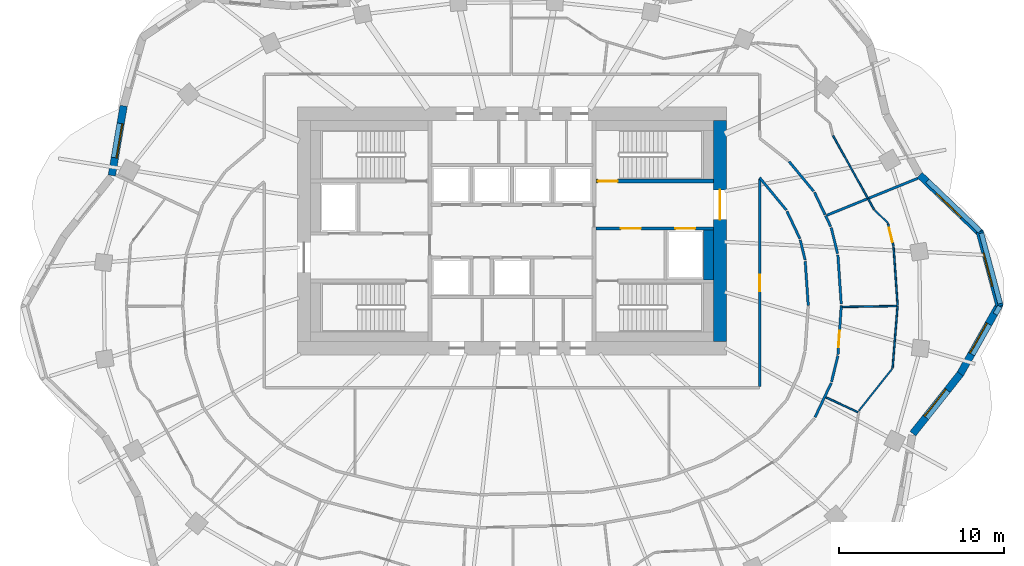
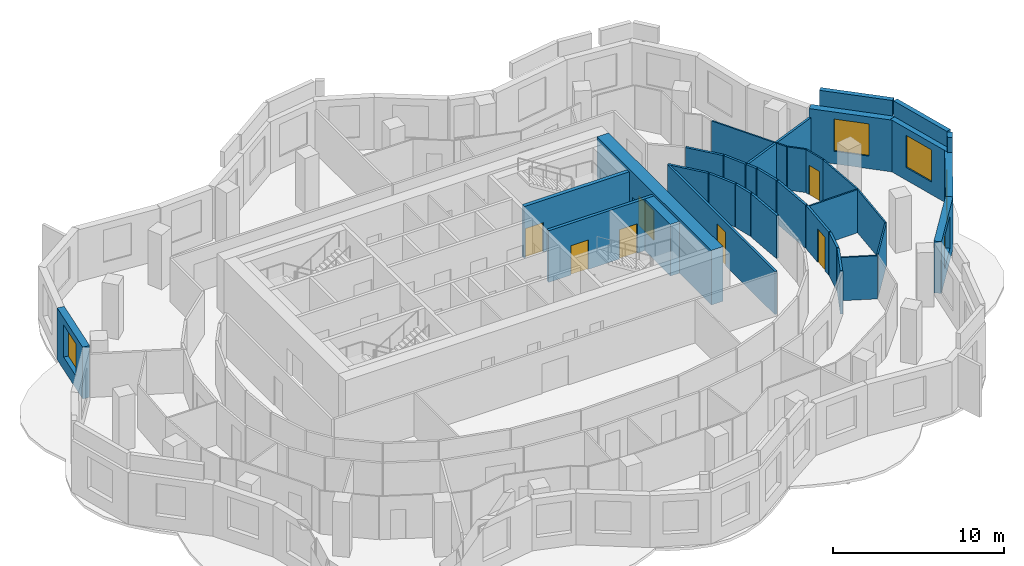
# One storey, part 7 of 11: 35 walls, 7 doors, 5 windows, 12 openings.
"""IFC4 building model written with IfcOpenShell, lengths in metres."""

from ifc_helpers import new_model, si_unit, direction, frame, frame_2d, origin, place, context, subcontext, project, spatial, rectangle, extrude, material, layer, layer_set, type_object, element, fill, save


model = new_model("IFC4")

# Units and contexts
model_context = context("Model", 3, precision=1e-05, world=origin(), true_north=direction((0.0, 1.0)))
body_context = subcontext(model_context, "Body", "Model", "MODEL_VIEW")
ifc_project = project(units=[si_unit("LENGTHUNIT", "METRE"), si_unit("AREAUNIT", "SQUARE_METRE"), si_unit("VOLUMEUNIT", "CUBIC_METRE"), si_unit("PLANEANGLEUNIT", "RADIAN"), si_unit("MASSUNIT", "GRAM", prefix="KILO")], contexts=[model_context])

# Site, building, storey
site_placement = place(None, origin())
site = spatial("IfcSite", under=ifc_project, at=site_placement, CompositionType="ELEMENT")
building_placement = place(site_placement, origin())
building = spatial("IfcBuilding", under=site, at=building_placement, Name="Rubra Terraces Tower", CompositionType="ELEMENT")
storey_placement = place(building_placement, frame((0.0, 0.0, 185.699951171875)))
storey = spatial("IfcBuildingStorey", under=building, at=storey_placement, Name="L45", CompositionType="ELEMENT", Elevation=185.699951171875)

# Wall, opening, window
ifc_material_1 = material(Name="Brick masonry red-brown", Category="masonry")
ifc_layer_1 = layer(ifc_material_1, 0.449951171875)
ifc_layer_set_1 = layer_set([ifc_layer_1], Name="Brick masonry red-brown")
wall_type_1 = type_object("IfcWallType", Name="Brick facade wall 450", PredefinedType="SOLIDWALL", material=ifc_layer_set_1)
wall_1_placement = place(storey_placement, frame((29.539794921875, -0.05810546875, 0.0), z_axis=(0.0, 0.0, 1.0), x_axis=(-0.258581372102, 0.96598947924, 0.0)))
wall_1 = element("IfcWall", 1, at=wall_1_placement, inside=storey, type_object=wall_type_1, Name="Facade wall L45 bay 1", PredefinedType="SOLIDWALL", context=body_context, shape_type="SweptSolid", body=[
    extrude(rectangle(XDim=4.68017578125, YDim=0.449951171875, at=frame_2d((2.340087890625, 0.0))), origin(), (0.0, 0.0, 1.0), 3.699951171875),
])
opening_1_placement = place(wall_1_placement, frame((1.2900390625, 0.0, 0.89990234375)))
opening_1 = element("IfcOpeningElement", 2, at=opening_1_placement, cuts=wall_1, Name="Opening W1B", PredefinedType="OPENING", context=body_context, shape_type="SweptSolid", body=[
    extrude(rectangle(XDim=2.10009765625, YDim=2.300048828125, at=frame_2d((1.050048828125, 1.14990234375))), frame((0.0, 0.23486328125, 0.0), z_axis=(0.0, -1.0, 0.0), x_axis=(1.0, 0.0, 0.0)), (0.0, 0.0, 1.0), 0.469970703125),
])
ifc_material_2 = material(Name="Clear glass in aluminium frame", Category="aluminium")
window_type = type_object("IfcWindowType", Name="Fixed deep-set window tall storey 2100 x 2300", PartitioningType="SINGLE_PANEL", PredefinedType="WINDOW", material=ifc_material_2)
window_1_placement = place(opening_1_placement, origin())
window_1 = element("IfcWindow", 3, at=window_1_placement, inside=storey, type_object=window_type, Name="Window L45 bay 1", OverallHeight=2.300048828125, OverallWidth=2.10009765625, PartitioningType="SINGLE_PANEL", PredefinedType="WINDOW", context=body_context, shape_type="SweptSolid", body=[
    extrude(rectangle(XDim=2.10009765625, YDim=2.300048828125, at=frame_2d((1.050048828125, 1.14990234375))), frame((0.0, 0.135009765625, 0.0), z_axis=(0.0, -1.0, 0.0), x_axis=(1.0, 0.0, 0.0)), (0.0, 0.0, 1.0), 0.06005859375),
])
fill(opening_1, window_1)

wall_2_placement = place(storey_placement, frame((28.38720703125, 4.362548828125, 0.0), z_axis=(0.0, 0.0, 1.0), x_axis=(-0.722717697728, 0.691143349379, 0.0)))
wall_2 = element("IfcWall", 4, at=wall_2_placement, inside=storey, type_object=wall_type_1, Name="Facade wall L45 bay 2", PredefinedType="SOLIDWALL", context=body_context, shape_type="SweptSolid", body=[
    extrude(rectangle(XDim=5.103271484375, YDim=0.449951171875, at=frame_2d((2.5517578125, 0.0))), origin(), (0.0, 0.0, 1.0), 3.699951171875),
])
opening_2_placement = place(wall_2_placement, frame((1.501708984375, 0.0, 0.89990234375)))
opening_2 = element("IfcOpeningElement", 5, at=opening_2_placement, cuts=wall_2, Name="Opening W1B", PredefinedType="OPENING", context=body_context, shape_type="SweptSolid", body=[
    extrude(rectangle(XDim=2.10009765625, YDim=2.300048828125, at=frame_2d((1.050048828125, 1.14990234375))), frame((0.0, 0.23486328125, 0.0), z_axis=(0.0, -1.0, 0.0), x_axis=(1.0, 0.0, 0.0)), (0.0, 0.0, 1.0), 0.469970703125),
])
window_2_placement = place(opening_2_placement, origin())
window_2 = element("IfcWindow", 6, at=window_2_placement, inside=storey, type_object=window_type, Name="Window L45 bay 2", OverallHeight=2.300048828125, OverallWidth=2.10009765625, PartitioningType="SINGLE_PANEL", PredefinedType="WINDOW", context=body_context, shape_type="SweptSolid", body=[
    extrude(rectangle(XDim=2.10009765625, YDim=2.300048828125, at=frame_2d((1.050048828125, 1.14990234375))), frame((0.0, 0.135009765625, 0.0), z_axis=(0.0, -1.0, 0.0), x_axis=(1.0, 0.0, 0.0)), (0.0, 0.0, 1.0), 0.06005859375),
])
fill(opening_2, window_2)

wall_3_placement = place(storey_placement, frame((-23.524169921875, 12.0830078125, 0.0), z_axis=(0.0, 0.0, 1.0), x_axis=(-0.167445072349, -0.985881406532, 0.0)))
wall_3 = element("IfcWall", 7, at=wall_3_placement, inside=storey, type_object=wall_type_1, Name="Facade wall L45 bay 18", PredefinedType="SOLIDWALL", context=body_context, shape_type="SweptSolid", body=[
    extrude(rectangle(XDim=4.27490234375, YDim=0.449951171875, at=frame_2d((2.137451171875, 0.0))), origin(), (0.0, 0.0, 1.0), 3.699951171875),
])
opening_3_placement = place(wall_3_placement, frame((1.08740234375, 0.0, 0.89990234375)))
opening_3 = element("IfcOpeningElement", 8, at=opening_3_placement, cuts=wall_3, Name="Opening W1B", PredefinedType="OPENING", context=body_context, shape_type="SweptSolid", body=[
    extrude(rectangle(XDim=2.10009765625, YDim=2.300048828125, at=frame_2d((1.050048828125, 1.14990234375))), frame((0.0, 0.23486328125, 0.0), z_axis=(0.0, -1.0, 0.0), x_axis=(1.0, 0.0, 0.0)), (0.0, 0.0, 1.0), 0.469970703125),
])
window_3_placement = place(opening_3_placement, origin())
window_3 = element("IfcWindow", 9, at=window_3_placement, inside=storey, type_object=window_type, Name="Window L45 bay 18", OverallHeight=2.300048828125, OverallWidth=2.10009765625, PartitioningType="SINGLE_PANEL", PredefinedType="WINDOW", context=body_context, shape_type="SweptSolid", body=[
    extrude(rectangle(XDim=2.10009765625, YDim=2.300048828125, at=frame_2d((1.050048828125, 1.14990234375))), frame((0.0, 0.135009765625, 0.0), z_axis=(0.0, -1.0, 0.0), x_axis=(1.0, 0.0, 0.0)), (0.0, 0.0, 1.0), 0.06005859375),
])
fill(opening_3, window_3)

wall_4_placement = place(storey_placement, frame((24.2822265625, -7.773681640625, 0.0), z_axis=(0.0, 0.0, 1.0), x_axis=(0.621735490397, 0.783227285008, 0.0)))
wall_4 = element("IfcWall", 10, at=wall_4_placement, inside=storey, type_object=wall_type_1, Name="Facade wall L45 bay 39", PredefinedType="SOLIDWALL", context=body_context, shape_type="SweptSolid", body=[
    extrude(rectangle(XDim=4.62451171875, YDim=0.449951171875, at=frame_2d((2.312255859375, 0.0))), origin(), (0.0, 0.0, 1.0), 3.699951171875),
])
opening_4_placement = place(wall_4_placement, frame((1.26220703125, 0.0, 0.89990234375)))
opening_4 = element("IfcOpeningElement", 11, at=opening_4_placement, cuts=wall_4, Name="Opening W1B", PredefinedType="OPENING", context=body_context, shape_type="SweptSolid", body=[
    extrude(rectangle(XDim=2.10009765625, YDim=2.300048828125, at=frame_2d((1.050048828125, 1.14990234375))), frame((0.0, 0.23486328125, 0.0), z_axis=(0.0, -1.0, 0.0), x_axis=(1.0, 0.0, 0.0)), (0.0, 0.0, 1.0), 0.469970703125),
])
window_4_placement = place(opening_4_placement, origin())
window_4 = element("IfcWindow", 12, at=window_4_placement, inside=storey, type_object=window_type, Name="Window L45 bay 39", OverallHeight=2.300048828125, OverallWidth=2.10009765625, PartitioningType="SINGLE_PANEL", PredefinedType="WINDOW", context=body_context, shape_type="SweptSolid", body=[
    extrude(rectangle(XDim=2.10009765625, YDim=2.300048828125, at=frame_2d((1.050048828125, 1.14990234375))), frame((0.0, 0.135009765625, 0.0), z_axis=(0.0, -1.0, 0.0), x_axis=(1.0, 0.0, 0.0)), (0.0, 0.0, 1.0), 0.06005859375),
])
fill(opening_4, window_4)

wall_5_placement = place(storey_placement, frame((27.138427734375, -4.180908203125, 0.0), z_axis=(0.0, 0.0, 1.0), x_axis=(0.491588303761, 0.870827732451, 0.0)))
wall_5 = element("IfcWall", 13, at=wall_5_placement, inside=storey, type_object=wall_type_1, Name="Facade wall L45 bay 40", PredefinedType="SOLIDWALL", context=body_context, shape_type="SweptSolid", body=[
    extrude(rectangle(XDim=4.924072265625, YDim=0.449951171875, at=frame_2d((2.4619140625, 0.0))), origin(), (0.0, 0.0, 1.0), 3.699951171875),
])
opening_5_placement = place(wall_5_placement, frame((1.412109375, 0.0, 0.89990234375)))
opening_5 = element("IfcOpeningElement", 14, at=opening_5_placement, cuts=wall_5, Name="Opening W1B", PredefinedType="OPENING", context=body_context, shape_type="SweptSolid", body=[
    extrude(rectangle(XDim=2.10009765625, YDim=2.300048828125, at=frame_2d((1.050048828125, 1.14990234375))), frame((0.0, 0.23486328125, 0.0), z_axis=(0.0, -1.0, 0.0), x_axis=(1.0, 0.0, 0.0)), (0.0, 0.0, 1.0), 0.469970703125),
])
window_5_placement = place(opening_5_placement, origin())
window_5 = element("IfcWindow", 15, at=window_5_placement, inside=storey, type_object=window_type, Name="Window L45 bay 40", OverallHeight=2.300048828125, OverallWidth=2.10009765625, PartitioningType="SINGLE_PANEL", PredefinedType="WINDOW", context=body_context, shape_type="SweptSolid", body=[
    extrude(rectangle(XDim=2.10009765625, YDim=2.300048828125, at=frame_2d((1.050048828125, 1.14990234375))), frame((0.0, 0.135009765625, 0.0), z_axis=(0.0, -1.0, 0.0), x_axis=(1.0, 0.0, 0.0)), (0.0, 0.0, 1.0), 0.06005859375),
])
fill(opening_5, window_5)

# Walls
ifc_layer_2 = layer(ifc_material_1, 0.300048828125)
ifc_layer_set_2 = layer_set([ifc_layer_2], Name="Brick masonry red-brown")
wall_type_2 = type_object("IfcWallType", Name="Brick parapet 300", PredefinedType="PARAPET", material=ifc_layer_set_2)
for number, where, z_axis, x_axis, name in (
    (16, (29.57275390625, 0.1083984375, 3.900146484375), (0.0, 0.0, 1.0), (-0.258523195294, 0.96600505045, 0.0), "Parapet L45 bay 1"),
    (17, (28.36083984375, 4.491455078125, 3.900146484375), (0.0, 0.0, 1.0), (-0.722694709068, 0.691167387457, 0.0), "Parapet L45 bay 2"),
):
    element("IfcWall", number, at=place(storey_placement, frame(where, z_axis=z_axis, x_axis=x_axis)), inside=storey, type_object=wall_type_2, Name=name, PredefinedType="PARAPET", context=body_context, shape_type="SweptSolid", body=[
        extrude(rectangle(XDim=4.4140625, YDim=0.300048828125, at=frame_2d((2.20703125, 0.0))), origin(), (0.0, 0.0, 1.0), 1.099853515625),
    ])
wall_6_placement = place(storey_placement, frame((29.27880859375, -0.541748046875, 3.900146484375), z_axis=(0.0, 0.0, 1.0), x_axis=(0.491912136679, 0.870644847103, 0.0)))
element("IfcWall", 18, at=wall_6_placement, inside=storey, type_object=wall_type_2, Name="Parapet L45 bay 40", PredefinedType="PARAPET", context=body_context, shape_type="SweptSolid", body=[
    extrude(rectangle(XDim=0.554443359375, YDim=0.300048828125, at=frame_2d((0.27734375, 0.0))), origin(), (0.0, 0.0, 1.0), 1.099853515625),
])

# Wall, opening, door
ifc_material_3 = material(Name="Concrete C50", Category="concrete")
ifc_layer_3 = layer(ifc_material_3, 0.800048828125)
ifc_layer_set_3 = layer_set([ifc_layer_3], Name="Concrete C50")
wall_type_3 = type_object("IfcWallType", Name="CORE WALL 800 C50", PredefinedType="SHEAR", material=ifc_layer_set_3)
wall_7_placement = place(storey_placement, frame((12.60009765625, -2.199951171875, 0.0), z_axis=(0.0, 0.0, 1.0), x_axis=(0.0, 1.0, 0.0)))
wall_7 = element("IfcWall", 19, at=wall_7_placement, inside=storey, type_object=wall_type_3, Name="CORE WALL E L45", PredefinedType="SHEAR", context=body_context, shape_type="SweptSolid", body=[
    extrude(rectangle(XDim=13.39990234375, YDim=0.800048828125, at=frame_2d((6.699951171875, 0.0))), origin(), (0.0, 0.0, 1.0), 3.900146484375),
])
opening_6_placement = place(wall_7_placement, frame((7.39990234375, 0.0, 0.0)))
opening_6 = element("IfcOpeningElement", 20, at=opening_6_placement, cuts=wall_7, Name="Opening L45.C02", PredefinedType="OPENING", context=body_context, shape_type="SweptSolid", body=[
    extrude(rectangle(XDim=1.800048828125, YDim=2.10009765625, at=frame_2d((0.89990234375, 1.050048828125))), frame((0.0, 0.409912109375, 0.0), z_axis=(0.0, -1.0, 0.0), x_axis=(1.0, 0.0, 0.0)), (0.0, 0.0, 1.0), 0.820068359375),
])
ifc_material_4 = material(Name="Painted steel", Category="steel")
door_type_1 = type_object("IfcDoorType", Name="Fire door 1800x2100 double", OperationType="NOTDEFINED", PredefinedType="DOOR", material=ifc_material_4)
door_1_placement = place(opening_6_placement, origin())
door_1 = element("IfcDoor", 21, at=door_1_placement, inside=storey, type_object=door_type_1, Name="Core entrance door FF2", OperationType="DOUBLE_DOOR_SINGLE_SWING", OverallHeight=2.10009765625, OverallWidth=1.800048828125, PredefinedType="DOOR", context=body_context, shape_type="SweptSolid", body=[
    extrude(rectangle(XDim=1.800048828125, YDim=2.10009765625, at=frame_2d((0.89990234375, 1.050048828125))), frame((0.0, 0.02490234375, 0.0), z_axis=(0.0, -1.0, 0.0), x_axis=(1.0, 0.0, 0.0)), (0.0, 0.0, 1.0), 0.050048828125),
])
fill(opening_6, door_1)

# Walls
ifc_material_5 = material(Name="Plasterboard on steel stud, mineral wool infill", Category="steel")
ifc_layer_4 = layer(ifc_material_5, 0.14990234375)
ifc_layer_set_4 = layer_set([ifc_layer_4], Name="Plasterboard on steel stud, mineral wool infill")
wall_type_4 = type_object("IfcWallType", Name="CORRIDOR PARTITION 150", PredefinedType="PARTITIONING", material=ifc_layer_set_4)
wall_8_placement = place(storey_placement, frame((18.35302734375, -6.78369140625, 0.0), z_axis=(0.0, 0.0, 1.0), x_axis=(0.428086344739, 0.903737838894, 0.0)))
element("IfcWall", 22, at=wall_8_placement, inside=storey, type_object=wall_type_4, Name="PARTITION", PredefinedType="PARTITIONING", context=body_context, shape_type="SweptSolid", body=[
    extrude(rectangle(XDim=2.299560546875, YDim=0.14990234375, at=frame_2d((1.14990234375, 0.0))), origin(), (0.0, 0.0, 1.0), 3.083984375),
])
wall_9_placement = place(storey_placement, frame((19.355224609375, -4.6328125, 0.0), z_axis=(0.0, 0.0, 1.0), x_axis=(0.236703930685, 0.971581828359, 0.0)))
element("IfcWall", 23, at=wall_9_placement, inside=storey, type_object=wall_type_4, Name="PARTITION", PredefinedType="PARTITIONING", context=body_context, shape_type="SweptSolid", body=[
    extrude(rectangle(XDim=1.62646484375, YDim=0.14990234375, at=frame_2d((0.813232421875, 0.0))), origin(), (0.0, 0.0, 1.0), 3.083984375),
])

# Wall, opening, door
wall_10_placement = place(storey_placement, frame((19.745361328125, -2.9775390625, 0.0), z_axis=(0.0, 0.0, 1.0), x_axis=(0.068142324, 0.997675610447, 0.0)))
wall_10 = element("IfcWall", 24, at=wall_10_placement, inside=storey, type_object=wall_type_4, Name="PARTITION", PredefinedType="PARTITIONING", context=body_context, shape_type="SweptSolid", body=[
    extrude(rectangle(XDim=2.984375, YDim=0.14990234375, at=frame_2d((1.4921875, 0.0))), origin(), (0.0, 0.0, 1.0), 3.083984375),
])
opening_7_placement = place(wall_10_placement, frame((0.449951171875, 0.0, 0.0)))
opening_7 = element("IfcOpeningElement", 25, at=opening_7_placement, cuts=wall_10, Name="Opening 45-114", PredefinedType="OPENING", context=body_context, shape_type="SweptSolid", body=[
    extrude(rectangle(XDim=1.0, YDim=2.39990234375, at=frame_2d((0.5, 1.199951171875))), frame((0.0, 0.0849609375, 0.0), z_axis=(0.0, -1.0, 0.0), x_axis=(1.0, 0.0, 0.0)), (0.0, 0.0, 1.0), 0.169921875),
])
ifc_material_6 = material(Name="Glazed aluminium meeting door leaf", Category="aluminium")
door_type_2 = type_object("IfcDoorType", Name="MEETING ROOM GLAZED DOOR 1000 X 2400", OperationType="SINGLE_SWING_LEFT", PredefinedType="DOOR", material=ifc_material_6)
door_2_placement = place(opening_7_placement, origin())
door_2 = element("IfcDoor", 26, at=door_2_placement, inside=storey, type_object=door_type_2, Name="DOOR 45-114", OperationType="SINGLE_SWING_RIGHT", OverallHeight=2.39990234375, OverallWidth=1.0, PredefinedType="DOOR", context=body_context, shape_type="SweptSolid", body=[
    extrude(rectangle(XDim=1.0, YDim=2.39990234375, at=frame_2d((0.5, 1.199951171875))), frame((0.0, 0.02490234375, 0.0), z_axis=(0.0, -1.0, 0.0), x_axis=(1.0, 0.0, 0.0)), (0.0, 0.0, 1.0), 0.050048828125),
])
fill(opening_7, door_2)

# Walls
wall_11_placement = place(storey_placement, frame((19.943603515625, 0.07470703125, 0.0), z_axis=(0.0, 0.0, 1.0), x_axis=(-0.068136763128, 0.997675990245, 0.0)))
element("IfcWall", 27, at=wall_11_placement, inside=storey, type_object=wall_type_4, Name="PARTITION", PredefinedType="PARTITIONING", context=body_context, shape_type="SweptSolid", body=[
    extrude(rectangle(XDim=2.984619140625, YDim=0.14990234375, at=frame_2d((1.4921875, 0.0))), origin(), (0.0, 0.0, 1.0), 3.083984375),
])
wall_12_placement = place(storey_placement, frame((19.722412109375, 3.125244140625, 0.0), z_axis=(0.0, 0.0, 1.0), x_axis=(-0.236703930685, 0.971581828359, 0.0)))
element("IfcWall", 28, at=wall_12_placement, inside=storey, type_object=wall_type_4, Name="PARTITION", PredefinedType="PARTITIONING", context=body_context, shape_type="SweptSolid", body=[
    extrude(rectangle(XDim=1.62646484375, YDim=0.14990234375, at=frame_2d((0.813232421875, 0.0))), origin(), (0.0, 0.0, 1.0), 3.083984375),
])
wall_13_placement = place(storey_placement, frame((19.305419921875, 4.7734375, 0.0), z_axis=(0.0, 0.0, 1.0), x_axis=(-0.42817357332, 0.903696514938, 0.0)))
element("IfcWall", 29, at=wall_13_placement, inside=storey, type_object=wall_type_4, Name="PARTITION", PredefinedType="PARTITIONING", context=body_context, shape_type="SweptSolid", body=[
    extrude(rectangle(XDim=0.721923828125, YDim=0.14990234375, at=frame_2d((0.36083984375, 0.0))), origin(), (0.0, 0.0, 1.0), 3.083984375),
])
wall_14_placement = place(storey_placement, frame((18.964111328125, 5.49365234375, 0.0), z_axis=(0.0, 0.0, 1.0), x_axis=(-0.428135235203, 0.903714678633, 0.0)))
element("IfcWall", 30, at=wall_14_placement, inside=storey, type_object=wall_type_4, Name="PARTITION", PredefinedType="PARTITIONING", context=body_context, shape_type="SweptSolid", body=[
    extrude(rectangle(XDim=1.502685546875, YDim=0.14990234375, at=frame_2d((0.75146484375, 0.0))), origin(), (0.0, 0.0, 1.0), 3.083984375),
])
wall_15_placement = place(storey_placement, frame((18.273193359375, 6.9091796875, 0.0), z_axis=(0.0, 0.0, 1.0), x_axis=(-0.63653648943, 0.771246586783, 0.0)))
element("IfcWall", 31, at=wall_15_placement, inside=storey, type_object=wall_type_4, Name="PARTITION", PredefinedType="PARTITIONING", context=body_context, shape_type="SweptSolid", body=[
    extrude(rectangle(XDim=2.341552734375, YDim=0.14990234375, at=frame_2d((1.1708984375, 0.0))), origin(), (0.0, 0.0, 1.0), 3.083984375),
])
wall_16_placement = place(storey_placement, frame((15.0, 7.73291015625, 0.0), z_axis=(0.0, 0.0, 1.0), x_axis=(0.636601263488, -0.771193121938, 0.0)))
element("IfcWall", 32, at=wall_16_placement, inside=storey, type_object=wall_type_4, Name="PARTITION", PredefinedType="PARTITIONING", context=body_context, shape_type="SweptSolid", body=[
    extrude(rectangle(XDim=2.544921875, YDim=0.14990234375, at=frame_2d((1.2724609375, 0.0))), origin(), (0.0, 0.0, 1.0), 3.083984375),
])
wall_17_placement = place(storey_placement, frame((16.652099609375, 5.702392578125, 0.0), z_axis=(0.0, 0.0, 1.0), x_axis=(0.428126129773, -0.903718992279, 0.0)))
element("IfcWall", 33, at=wall_17_placement, inside=storey, type_object=wall_type_4, Name="PARTITION", PredefinedType="PARTITIONING", context=body_context, shape_type="SweptSolid", body=[
    extrude(rectangle(XDim=1.846435546875, YDim=0.14990234375, at=frame_2d((0.92333984375, 0.0))), origin(), (0.0, 0.0, 1.0), 3.083984375),
])
wall_18_placement = place(storey_placement, frame((17.46044921875, 3.9609375, 0.0), z_axis=(0.0, 0.0, 1.0), x_axis=(0.236655249498, -0.971593687137, 0.0)))
element("IfcWall", 34, at=wall_18_placement, inside=storey, type_object=wall_type_4, Name="PARTITION", PredefinedType="PARTITIONING", context=body_context, shape_type="SweptSolid", body=[
    extrude(rectangle(XDim=1.25146484375, YDim=0.14990234375, at=frame_2d((0.625732421875, 0.0))), origin(), (0.0, 0.0, 1.0), 3.083984375),
])
wall_19_placement = place(storey_placement, frame((17.76171875, 2.67041015625, 0.0), z_axis=(0.0, 0.0, 1.0), x_axis=(0.068135311644, -0.997676089373, 0.0)))
element("IfcWall", 35, at=wall_19_placement, inside=storey, type_object=wall_type_4, Name="PARTITION", PredefinedType="PARTITIONING", context=body_context, shape_type="SweptSolid", body=[
    extrude(rectangle(XDim=2.676513671875, YDim=0.14990234375, at=frame_2d((1.33837890625, 0.0))), origin(), (0.0, 0.0, 1.0), 3.083984375),
])

# Wall, opening, door
wall_20_placement = place(storey_placement, frame((15.0, -4.925048828125, 0.0), z_axis=(0.0, 0.0, 1.0), x_axis=(0.0, 1.0, 0.0)))
wall_20 = element("IfcWall", 36, at=wall_20_placement, inside=storey, type_object=wall_type_4, Name="PARTITION", PredefinedType="PARTITIONING", context=body_context, shape_type="SweptSolid", body=[
    extrude(rectangle(XDim=12.5830078125, YDim=0.14990234375, at=frame_2d((6.29150390625, 0.0))), origin(), (0.0, 0.0, 1.0), 3.083984375),
])
opening_8_placement = place(wall_20_placement, frame((5.791015625, 0.0, 0.0)))
opening_8 = element("IfcOpeningElement", 37, at=opening_8_placement, cuts=wall_20, Name="Opening 45-121", PredefinedType="OPENING", context=body_context, shape_type="SweptSolid", body=[
    extrude(rectangle(XDim=1.0, YDim=2.39990234375, at=frame_2d((0.5, 1.199951171875))), frame((0.0, 0.0849609375, 0.0), z_axis=(0.0, -1.0, 0.0), x_axis=(1.0, 0.0, 0.0)), (0.0, 0.0, 1.0), 0.169921875),
])
door_3_placement = place(opening_8_placement, origin())
door_3 = element("IfcDoor", 38, at=door_3_placement, inside=storey, type_object=door_type_2, Name="DOOR 45-121", OperationType="SINGLE_SWING_RIGHT", OverallHeight=2.39990234375, OverallWidth=1.0, PredefinedType="DOOR", context=body_context, shape_type="SweptSolid", body=[
    extrude(rectangle(XDim=1.0, YDim=2.39990234375, at=frame_2d((0.5, 1.199951171875))), frame((0.0, 0.02490234375, 0.0), z_axis=(0.0, -1.0, 0.0), x_axis=(1.0, 0.0, 0.0)), (0.0, 0.0, 1.0), 0.050048828125),
])
fill(opening_8, door_3)

# Wall
ifc_material_7 = material(Name="Concrete C40", Category="concrete")
ifc_layer_5 = layer(ifc_material_7, 0.60009765625)
ifc_layer_set_5 = layer_set([ifc_layer_5], Name="Concrete C40")
wall_type_5 = type_object("IfcWallType", Name="Core lining wall 600 concrete", PredefinedType="SOLIDWALL", material=ifc_layer_set_5)
wall_21_placement = place(storey_placement, frame((11.89990234375, 4.550048828125, 0.0), z_axis=(0.0, 0.0, 1.0), x_axis=(0.0, -1.0, 0.0)))
element("IfcWall", 39, at=wall_21_placement, inside=storey, type_object=wall_type_5, Name="CORE LINING WALL L45", PredefinedType="SOLIDWALL", context=body_context, shape_type="SweptSolid", body=[
    extrude(rectangle(XDim=3.0, YDim=0.60009765625, at=frame_2d((1.5, 0.0))), origin(), (0.0, 0.0, 1.0), 3.699951171875),
])

# Wall, openings, doors
ifc_material_8 = material(Name="Concrete C30", Category="concrete")
ifc_layer_6 = layer(ifc_material_8, 0.199951171875)
ifc_layer_set_6 = layer_set([ifc_layer_6], Name="Concrete C30")
wall_type_6 = type_object("IfcWallType", Name="Core wall 200 concrete", PredefinedType="SOLIDWALL", material=ifc_layer_set_6)
wall_22_placement = place(storey_placement, frame((12.199951171875, 4.64990234375, 0.0), z_axis=(0.0, 0.0, 1.0), x_axis=(-1.0, 0.0, 0.0)))
wall_22 = element("IfcWall", 40, at=wall_22_placement, inside=storey, type_object=wall_type_6, Name="STAIR WALL L45", PredefinedType="SOLIDWALL", context=body_context, shape_type="SweptSolid", body=[
    extrude(rectangle(XDim=7.099853515625, YDim=0.199951171875, at=frame_2d((3.5498046875, 0.0))), origin(), (0.0, 0.0, 1.0), 3.699951171875),
])
opening_9_placement = place(wall_22_placement, frame((4.39990234375, 0.0, 0.0)))
opening_9 = element("IfcOpeningElement", 41, at=opening_9_placement, cuts=wall_22, Name="Opening L45.C06", PredefinedType="OPENING", context=body_context, shape_type="SweptSolid", body=[
    extrude(rectangle(XDim=1.199951171875, YDim=2.10009765625, at=frame_2d((0.60009765625, 1.050048828125))), frame((0.0, 0.10986328125, 0.0), z_axis=(0.0, -1.0, 0.0), x_axis=(1.0, 0.0, 0.0)), (0.0, 0.0, 1.0), 0.219970703125),
])
opening_10_placement = place(wall_22_placement, frame((1.10009765625, 0.0, 0.0)))
opening_10 = element("IfcOpeningElement", 42, at=opening_10_placement, cuts=wall_22, Name="Opening L45.C12", PredefinedType="OPENING", context=body_context, shape_type="SweptSolid", body=[
    extrude(rectangle(XDim=1.199951171875, YDim=2.10009765625, at=frame_2d((0.60009765625, 1.050048828125))), frame((0.0, 0.10986328125, 0.0), z_axis=(0.0, -1.0, 0.0), x_axis=(1.0, 0.0, 0.0)), (0.0, 0.0, 1.0), 0.219970703125),
])
door_type_3 = type_object("IfcDoorType", Name="Fire door 1200x2100 single", OperationType="NOTDEFINED", PredefinedType="DOOR", material=ifc_material_4)
door_4_placement = place(opening_9_placement, origin())
door_4 = element("IfcDoor", 43, at=door_4_placement, inside=storey, type_object=door_type_3, Name="Stair vestibule door S4", OperationType="SINGLE_SWING_RIGHT", OverallHeight=2.10009765625, OverallWidth=1.199951171875, PredefinedType="DOOR", context=body_context, shape_type="SweptSolid", body=[
    extrude(rectangle(XDim=1.199951171875, YDim=2.10009765625, at=frame_2d((0.60009765625, 1.050048828125))), frame((0.0, 0.02490234375, 0.0), z_axis=(0.0, -1.0, 0.0), x_axis=(1.0, 0.0, 0.0)), (0.0, 0.0, 1.0), 0.050048828125),
])
fill(opening_9, door_4)
ifc_material_9 = material(Name="Stainless steel", Category="steel")
door_type_4 = type_object("IfcDoorType", Name="Lift landing door 1200x2100", OperationType="NOTDEFINED", PredefinedType="DOOR", material=ifc_material_9)
door_5_placement = place(opening_10_placement, origin())
door_5 = element("IfcDoor", 44, at=door_5_placement, inside=storey, type_object=door_type_4, Name="Landing door FF2", OperationType="SLIDING_TO_RIGHT", OverallHeight=2.10009765625, OverallWidth=1.199951171875, PredefinedType="DOOR", context=body_context, shape_type="SweptSolid", body=[
    extrude(rectangle(XDim=1.199951171875, YDim=2.10009765625, at=frame_2d((0.60009765625, 1.050048828125))), frame((0.0, 0.02490234375, 0.0), z_axis=(0.0, -1.0, 0.0), x_axis=(1.0, 0.0, 0.0)), (0.0, 0.0, 1.0), 0.050048828125),
])
fill(opening_10, door_5)

# Walls
ifc_material_10 = material(Name="Plasterboard on steel stud", Category="steel")
ifc_layer_7 = layer(ifc_material_10, 0.10009765625)
ifc_layer_set_7 = layer_set([ifc_layer_7], Name="Plasterboard on steel stud")
wall_type_7 = type_object("IfcWallType", Name="ROOM PARTITION 100", PredefinedType="PARTITIONING", material=ifc_layer_set_7)
wall_23_placement = place(storey_placement, frame((21.571044921875, 6.450439453125, 0.0), z_axis=(0.0, 0.0, 1.0), x_axis=(0.485146235322, -0.874433033658, 0.0)))
element("IfcWall", 45, at=wall_23_placement, inside=storey, type_object=wall_type_7, Name="PARTITION", PredefinedType="PARTITIONING", context=body_context, shape_type="SweptSolid", body=[
    extrude(rectangle(XDim=0.751220703125, YDim=0.10009765625, at=frame_2d((0.37548828125, 0.0))), origin(), (0.0, 0.0, 1.0), 3.083984375),
])
wall_24_placement = place(storey_placement, frame((21.9716796875, 5.7587890625, 0.0), z_axis=(0.0, 0.0, 1.0), x_axis=(0.722719124143, -0.691141857796, 0.0)))
element("IfcWall", 46, at=wall_24_placement, inside=storey, type_object=wall_type_7, Name="PARTITION", PredefinedType="PARTITIONING", context=body_context, shape_type="SweptSolid", body=[
    extrude(rectangle(XDim=1.097900390625, YDim=0.10009765625, at=frame_2d((0.548828125, 0.0))), origin(), (0.0, 0.0, 1.0), 3.083984375),
])

# Wall, opening, door
wall_25_placement = place(storey_placement, frame((22.777099609375, 4.951416015625, 0.0), z_axis=(0.0, 0.0, 1.0), x_axis=(0.236694434552, -0.971584141828, 0.0)))
wall_25 = element("IfcWall", 47, at=wall_25_placement, inside=storey, type_object=wall_type_7, Name="PARTITION", PredefinedType="PARTITIONING", context=body_context, shape_type="SweptSolid", body=[
    extrude(rectangle(XDim=1.417236328125, YDim=0.10009765625, at=frame_2d((0.70849609375, 0.0))), origin(), (0.0, 0.0, 1.0), 3.083984375),
])
opening_11_placement = place(wall_25_placement, frame((0.25, 0.0, 0.0)))
opening_11 = element("IfcOpeningElement", 48, at=opening_11_placement, cuts=wall_25, Name="Opening 45-115", PredefinedType="OPENING", context=body_context, shape_type="SweptSolid", body=[
    extrude(rectangle(XDim=0.89990234375, YDim=2.10009765625, at=frame_2d((0.449951171875, 1.050048828125))), frame((0.0, 0.06005859375, 0.0), z_axis=(0.0, -1.0, 0.0), x_axis=(1.0, 0.0, 0.0)), (0.0, 0.0, 1.0), 0.1201171875),
])
ifc_material_11 = material(Name="Painted timber door leaf", Category="wood")
door_type_5 = type_object("IfcDoorType", Name="ROOM DOOR 900 X 2100", OperationType="SINGLE_SWING_LEFT", PredefinedType="DOOR", material=ifc_material_11)
door_6_placement = place(opening_11_placement, origin())
door_6 = element("IfcDoor", 49, at=door_6_placement, inside=storey, type_object=door_type_5, Name="DOOR 45-115", OperationType="SINGLE_SWING_RIGHT", OverallHeight=2.10009765625, OverallWidth=0.89990234375, PredefinedType="DOOR", context=body_context, shape_type="SweptSolid", body=[
    extrude(rectangle(XDim=0.89990234375, YDim=2.10009765625, at=frame_2d((0.449951171875, 1.050048828125))), frame((0.0, 0.02490234375, 0.0), z_axis=(0.0, -1.0, 0.0), x_axis=(1.0, 0.0, 0.0)), (0.0, 0.0, 1.0), 0.050048828125),
])
fill(opening_11, door_6)

# Walls
wall_26_placement = place(storey_placement, frame((23.115966796875, 3.524658203125, 0.0), z_axis=(0.0, 0.0, 1.0), x_axis=(0.068138009452, -0.997675905125, 0.0)))
element("IfcWall", 50, at=wall_26_placement, inside=storey, type_object=wall_type_7, Name="PARTITION", PredefinedType="PARTITIONING", context=body_context, shape_type="SweptSolid", body=[
    extrude(rectangle(XDim=3.532958984375, YDim=0.10009765625, at=frame_2d((1.7666015625, 0.0))), origin(), (0.0, 0.0, 1.0), 3.083984375),
])
wall_27_placement = place(storey_placement, frame((23.352783203125, -0.0498046875, 0.0), z_axis=(0.0, 0.0, 1.0), x_axis=(-0.078942785997, -0.996879148412, 0.0)))
element("IfcWall", 51, at=wall_27_placement, inside=storey, type_object=wall_type_7, Name="PARTITION", PredefinedType="PARTITIONING", context=body_context, shape_type="SweptSolid", body=[
    extrude(rectangle(XDim=3.77294921875, YDim=0.10009765625, at=frame_2d((1.886474609375, 0.0))), origin(), (0.0, 0.0, 1.0), 3.083984375),
])
wall_28_placement = place(storey_placement, frame((23.023681640625, -3.85009765625, 0.0), z_axis=(0.0, 0.0, 1.0), x_axis=(-0.621707275044, -0.783249681875, 0.0)))
element("IfcWall", 52, at=wall_28_placement, inside=storey, type_object=wall_type_7, Name="PARTITION", PredefinedType="PARTITIONING", context=body_context, shape_type="SweptSolid", body=[
    extrude(rectangle(XDim=3.2236328125, YDim=0.10009765625, at=frame_2d((1.61181640625, 0.0))), origin(), (0.0, 0.0, 1.0), 3.083984375),
])
wall_29_placement = place(storey_placement, frame((19.010986328125, -5.570068359375, 0.0), z_axis=(0.0, 0.0, 1.0), x_axis=(0.90673833646, -0.421693714908, 0.0)))
element("IfcWall", 53, at=wall_29_placement, inside=storey, type_object=wall_type_7, Name="PARTITION", PredefinedType="PARTITIONING", context=body_context, shape_type="SweptSolid", body=[
    extrude(rectangle(XDim=2.142822265625, YDim=0.10009765625, at=frame_2d((1.0712890625, 0.0))), origin(), (0.0, 0.0, 1.0), 3.083984375),
])
wall_30_placement = place(storey_placement, frame((20.01708984375, -0.096923828125, 0.0), z_axis=(0.0, 0.0, 1.0), x_axis=(0.999855368447, 0.017007121695, 0.0)))
element("IfcWall", 54, at=wall_30_placement, inside=storey, type_object=wall_type_7, Name="PARTITION", PredefinedType="PARTITIONING", context=body_context, shape_type="SweptSolid", body=[
    extrude(rectangle(XDim=3.287353515625, YDim=0.10009765625, at=frame_2d((1.6435546875, 0.0))), origin(), (0.0, 0.0, 1.0), 3.083984375),
])
wall_31_placement = place(storey_placement, frame((19.4501953125, 10.273193359375, 0.0), z_axis=(0.0, 0.0, 1.0), x_axis=(0.485130780077, -0.87444160824, 0.0)))
element("IfcWall", 55, at=wall_31_placement, inside=storey, type_object=wall_type_7, Name="PARTITION", PredefinedType="PARTITIONING", context=body_context, shape_type="SweptSolid", body=[
    extrude(rectangle(XDim=4.33154296875, YDim=0.10009765625, at=frame_2d((2.165771484375, 0.0))), origin(), (0.0, 0.0, 1.0), 3.083984375),
])
ifc_layer_8 = layer(ifc_material_10, 0.14990234375)
ifc_layer_set_8 = layer_set([ifc_layer_8], Name="Plasterboard on steel stud")
wall_type_8 = type_object("IfcWallType", Name="ROOM PARTITION 150", PredefinedType="PARTITIONING", material=ifc_layer_set_8)
wall_32_placement = place(storey_placement, frame((24.57421875, 7.692138671875, 0.0), z_axis=(0.0, 0.0, 1.0), x_axis=(-0.926449572976, -0.376418900606, 0.0)))
element("IfcWall", 56, at=wall_32_placement, inside=storey, type_object=wall_type_8, Name="PARTITION", PredefinedType="PARTITIONING", context=body_context, shape_type="SweptSolid", body=[
    extrude(rectangle(XDim=5.945556640625, YDim=0.14990234375, at=frame_2d((2.97265625, 0.0))), origin(), (0.0, 0.0, 1.0), 3.083984375),
])

# Wall, opening, door
ifc_layer_9 = layer(ifc_material_7, 0.25)
ifc_layer_set_9 = layer_set([ifc_layer_9], Name="Concrete C40")
wall_type_9 = type_object("IfcWallType", Name="Stair enclosure wall 250 concrete", PredefinedType="SOLIDWALL", material=ifc_layer_set_9)
wall_33_placement = place(storey_placement, frame((12.199951171875, 7.52490234375, 0.0), z_axis=(0.0, 0.0, 1.0), x_axis=(-1.0, 0.0, 0.0)))
wall_33 = element("IfcWall", 57, at=wall_33_placement, inside=storey, type_object=wall_type_9, Name="STAIR WALL L45", PredefinedType="SOLIDWALL", context=body_context, shape_type="SweptSolid", body=[
    extrude(rectangle(XDim=7.099853515625, YDim=0.25, at=frame_2d((3.5498046875, 0.0))), origin(), (0.0, 0.0, 1.0), 3.699951171875),
])
opening_12_placement = place(wall_33_placement, frame((5.800048828125, 0.0, 0.0)))
opening_12 = element("IfcOpeningElement", 58, at=opening_12_placement, cuts=wall_33, Name="Opening L45.C08", PredefinedType="OPENING", context=body_context, shape_type="SweptSolid", body=[
    extrude(rectangle(XDim=1.199951171875, YDim=2.10009765625, at=frame_2d((0.60009765625, 1.050048828125))), frame((0.0, 0.135009765625, 0.0), z_axis=(0.0, -1.0, 0.0), x_axis=(1.0, 0.0, 0.0)), (0.0, 0.0, 1.0), 0.27001953125),
])
door_7_placement = place(opening_12_placement, origin())
door_7 = element("IfcDoor", 59, at=door_7_placement, inside=storey, type_object=door_type_3, Name="Stair door S3", OperationType="SINGLE_SWING_RIGHT", OverallHeight=2.10009765625, OverallWidth=1.199951171875, PredefinedType="DOOR", context=body_context, shape_type="SweptSolid", body=[
    extrude(rectangle(XDim=1.199951171875, YDim=2.10009765625, at=frame_2d((0.60009765625, 1.050048828125))), frame((0.0, 0.02490234375, 0.0), z_axis=(0.0, -1.0, 0.0), x_axis=(1.0, 0.0, 0.0)), (0.0, 0.0, 1.0), 0.050048828125),
])
fill(opening_12, door_7)

save(model, "model.ifc")
